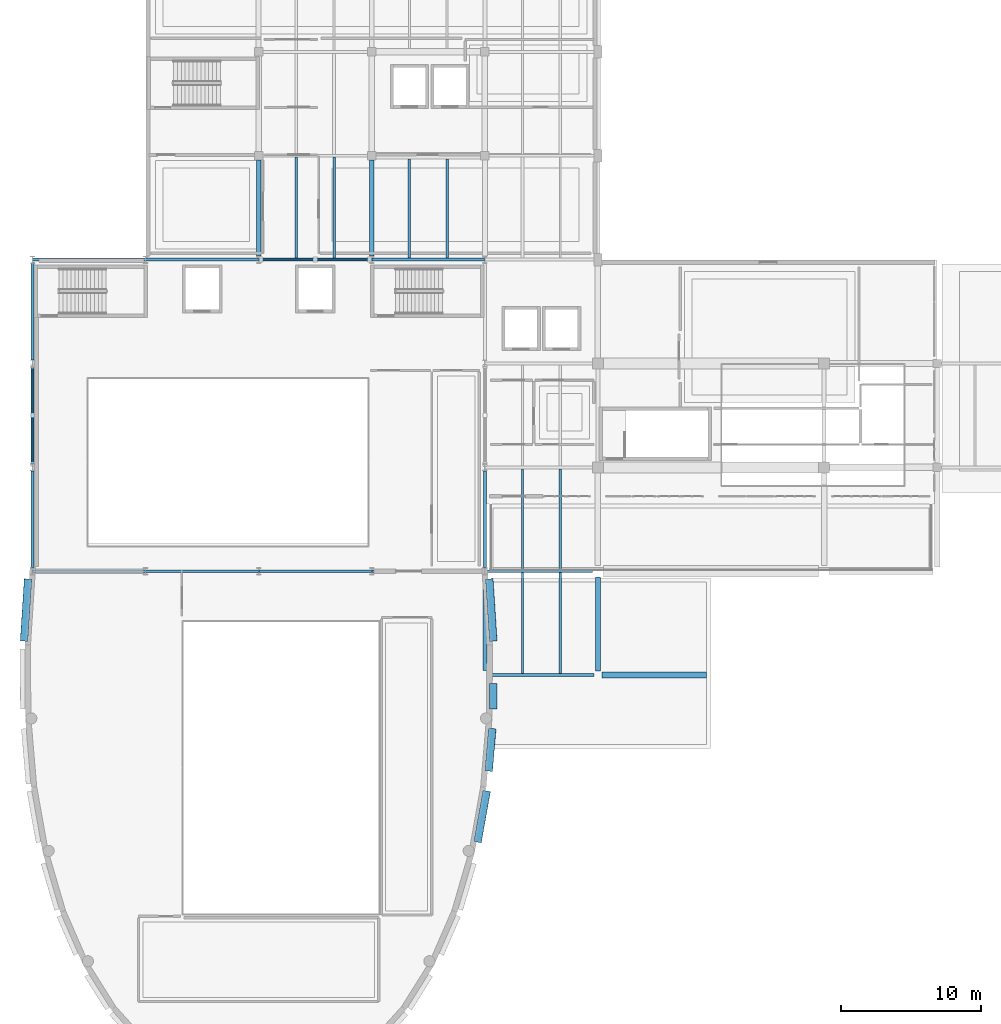
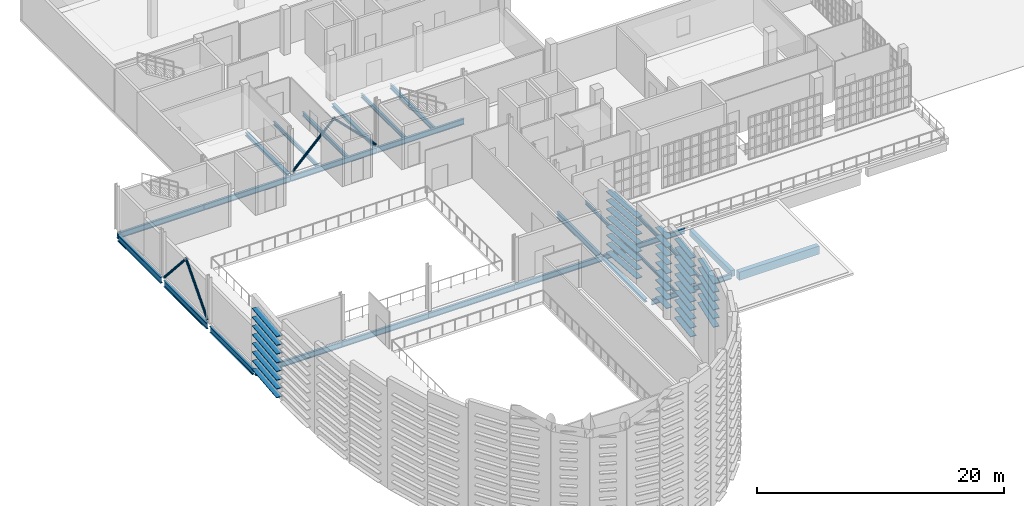
# One storey, part 6 of 56: 45 members, 27 beams.
"""IFC4 building model written with IfcOpenShell, lengths in metres."""

from ifc_helpers import new_model, si_unit, direction, frame, origin, origin_2d, place, context, subcontext, project, spatial, rectangle, hollow_rectangle, hollow_circle, i_section, extrude, material, material_profile, profile_set, type_object, element, save


model = new_model("IFC4")

# Units and contexts
model_context = context("Model", 3, precision=1e-05, world=origin(), true_north=direction((0.0, 1.0)))
body_context = subcontext(model_context, "Body", "Model", "MODEL_VIEW")
ifc_project = project(units=[si_unit("LENGTHUNIT", "METRE"), si_unit("AREAUNIT", "SQUARE_METRE"), si_unit("VOLUMEUNIT", "CUBIC_METRE"), si_unit("PLANEANGLEUNIT", "RADIAN"), si_unit("MASSUNIT", "GRAM", prefix="KILO")], contexts=[model_context])

# Site, building, storey
site_placement = place(None, origin())
site = spatial("IfcSite", under=ifc_project, at=site_placement, CompositionType="ELEMENT")
building_placement = place(site_placement, origin())
building = spatial("IfcBuilding", under=site, at=building_placement, Name="Kaelora Sail Theatre", CompositionType="ELEMENT")
storey_placement = place(building_placement, frame((0.0, 0.0, 14.699951171875)))
storey = spatial("IfcBuildingStorey", under=building, at=storey_placement, Name="L03", CompositionType="ELEMENT", Elevation=14.699951171875)

# Members
ifc_material_1 = material(Name="Anodised aluminium 6063-T6", Category="aluminium")
ifc_material_profile_1 = material_profile(ifc_material_1, hollow_rectangle(XDim=0.550048828125, YDim=0.06494140625, WallThickness=0.00390625, InnerFilletRadius=0.00390625, OuterFilletRadius=0.008056640625, at=origin_2d()), Name="LOUVRE 550x65x4")
ifc_profile_set_1 = profile_set([ifc_material_profile_1], Name="Anodised aluminium 6063-T6")
member_type_1 = type_object("IfcMemberType", Name="ARC-MEM-LVR-300", PredefinedType="USERDEFINED", material=ifc_profile_set_1)
for number, where, z_axis, x_axis, name in (
    (1, (58.51611328125, 60.47021484375, 0.31005859375), (0.064492796424, -0.997918172602, 0.0), (0.997918172602, 0.064492796424, 0.0), "Main Theatre Sail Drum horizontal solar louvre C1-17"),
    (2, (58.51611328125, 60.47021484375, 1.170166015625), (0.064492796424, -0.997918172602, 0.0), (0.997918172602, 0.064492796424, 0.0), "Main Theatre Sail Drum horizontal solar louvre C1-18"),
    (3, (58.51611328125, 60.47021484375, 2.030029296875), (0.064492796424, -0.997918172602, 0.0), (0.997918172602, 0.064492796424, 0.0), "Main Theatre Sail Drum horizontal solar louvre C1-19"),
    (4, (58.51611328125, 60.47021484375, 2.89013671875), (0.064492796424, -0.997918172602, 0.0), (0.997918172602, 0.064492796424, 0.0), "Main Theatre Sail Drum horizontal solar louvre C1-20"),
    (5, (58.51611328125, 60.47021484375, 3.75), (0.064492796424, -0.997918172602, 0.0), (0.997918172602, 0.064492796424, 0.0), "Main Theatre Sail Drum horizontal solar louvre C1-21"),
    (6, (58.51611328125, 60.47021484375, 4.610107421875), (0.064492796424, -0.997918172602, 0.0), (0.997918172602, 0.064492796424, 0.0), "Main Theatre Sail Drum horizontal solar louvre C1-22"),
    (7, (58.51611328125, 60.47021484375, 5.469970703125), (0.064492796424, -0.997918172602, 0.0), (0.997918172602, 0.064492796424, 0.0), "Main Theatre Sail Drum horizontal solar louvre C1-23"),
    (8, (58.51611328125, 60.47021484375, 6.330078125), (0.064492796424, -0.997918172602, 0.0), (0.997918172602, 0.064492796424, 0.0), "Main Theatre Sail Drum horizontal solar louvre C1-24"),
):
    element("IfcMember", number, at=place(storey_placement, frame(where, z_axis=z_axis, x_axis=x_axis)), inside=storey, type_object=member_type_1, Name=name, ObjectType="LOUVRE", PredefinedType="USERDEFINED", context=body_context, shape_type="SweptSolid", body=[
        extrude(hollow_rectangle(XDim=0.550048828125, YDim=0.06494140625, WallThickness=0.00390625, InnerFilletRadius=0.00390625, OuterFilletRadius=0.008056640625, at=origin_2d()), origin(), (0.0, 0.0, 1.0), 4.470703125),
    ])
for number, where, z_axis, x_axis, name in (
    (9, (58.808837890625, 52.990478515625, 0.31005859375), (-0.00488636533, -0.999988061646, 0.0), (0.999988061646, -0.00488636533, 0.0), "Main Theatre Sail Drum horizontal solar louvre C2-17"),
    (10, (58.808837890625, 52.990478515625, 1.170166015625), (-0.00488636533, -0.999988061646, 0.0), (0.999988061646, -0.00488636533, 0.0), "Main Theatre Sail Drum horizontal solar louvre C2-18"),
    (11, (58.808837890625, 52.990478515625, 2.030029296875), (-0.00488636533, -0.999988061646, 0.0), (0.999988061646, -0.00488636533, 0.0), "Main Theatre Sail Drum horizontal solar louvre C2-19"),
    (12, (58.808837890625, 52.990478515625, 2.89013671875), (-0.00488636533, -0.999988061646, 0.0), (0.999988061646, -0.00488636533, 0.0), "Main Theatre Sail Drum horizontal solar louvre C2-20"),
    (13, (58.808837890625, 52.990478515625, 3.75), (-0.00488636533, -0.999988061646, 0.0), (0.999988061646, -0.00488636533, 0.0), "Main Theatre Sail Drum horizontal solar louvre C2-21"),
    (14, (58.808837890625, 52.990478515625, 4.610107421875), (-0.00488636533, -0.999988061646, 0.0), (0.999988061646, -0.00488636533, 0.0), "Main Theatre Sail Drum horizontal solar louvre C2-22"),
    (15, (58.808837890625, 52.990478515625, 5.469970703125), (-0.00488636533, -0.999988061646, 0.0), (0.999988061646, -0.00488636533, 0.0), "Main Theatre Sail Drum horizontal solar louvre C2-23"),
    (16, (58.808837890625, 52.990478515625, 6.330078125), (-0.00488636533, -0.999988061646, 0.0), (0.999988061646, -0.00488636533, 0.0), "Main Theatre Sail Drum horizontal solar louvre C2-24"),
    (17, (58.808837890625, 52.990478515625, 7.18994140625), (-0.00488636533, -0.999988061646, 0.0), (0.999988061646, -0.00488636533, 0.0), "Main Theatre Sail Drum horizontal solar louvre C2-25"),
):
    element("IfcMember", number, at=place(storey_placement, frame(where, z_axis=z_axis, x_axis=x_axis)), inside=storey, type_object=member_type_1, Name=name, ObjectType="LOUVRE", PredefinedType="USERDEFINED", context=body_context, shape_type="SweptSolid", body=[
        extrude(hollow_rectangle(XDim=0.550048828125, YDim=0.06494140625, WallThickness=0.00390625, InnerFilletRadius=0.00390625, OuterFilletRadius=0.008056640625, at=origin_2d()), origin(), (0.0, 0.0, 1.0), 1.8486328125),
    ])
for number, where, z_axis, x_axis, name in (
    (18, (58.731201171875, 49.75, 0.31005859375), (-0.084314088497, -0.996439227691, 0.0), (0.996439227691, -0.084314088497, 0.0), "Main Theatre Sail Drum horizontal solar louvre C3-17"),
    (19, (58.731201171875, 49.75, 1.170166015625), (-0.084314088497, -0.996439227691, 0.0), (0.996439227691, -0.084314088497, 0.0), "Main Theatre Sail Drum horizontal solar louvre C3-18"),
    (20, (58.731201171875, 49.75, 2.030029296875), (-0.084314088497, -0.996439227691, 0.0), (0.996439227691, -0.084314088497, 0.0), "Main Theatre Sail Drum horizontal solar louvre C3-19"),
    (21, (58.731201171875, 49.75, 2.89013671875), (-0.084314088497, -0.996439227691, 0.0), (0.996439227691, -0.084314088497, 0.0), "Main Theatre Sail Drum horizontal solar louvre C3-20"),
    (22, (58.731201171875, 49.75, 3.75), (-0.084314088497, -0.996439227691, 0.0), (0.996439227691, -0.084314088497, 0.0), "Main Theatre Sail Drum horizontal solar louvre C3-21"),
    (23, (58.731201171875, 49.75, 4.610107421875), (-0.084314088497, -0.996439227691, 0.0), (0.996439227691, -0.084314088497, 0.0), "Main Theatre Sail Drum horizontal solar louvre C3-22"),
    (24, (58.731201171875, 49.75, 5.469970703125), (-0.084314088497, -0.996439227691, 0.0), (0.996439227691, -0.084314088497, 0.0), "Main Theatre Sail Drum horizontal solar louvre C3-23"),
    (25, (58.731201171875, 49.75, 6.330078125), (-0.084314088497, -0.996439227691, 0.0), (0.996439227691, -0.084314088497, 0.0), "Main Theatre Sail Drum horizontal solar louvre C3-24"),
    (26, (58.731201171875, 49.75, 7.18994140625), (-0.084314088497, -0.996439227691, 0.0), (0.996439227691, -0.084314088497, 0.0), "Main Theatre Sail Drum horizontal solar louvre C3-25"),
    (27, (58.731201171875, 49.75, 8.050048828125), (-0.084314088497, -0.996439227691, 0.0), (0.996439227691, -0.084314088497, 0.0), "Main Theatre Sail Drum horizontal solar louvre C3-26"),
):
    element("IfcMember", number, at=place(storey_placement, frame(where, z_axis=z_axis, x_axis=x_axis)), inside=storey, type_object=member_type_1, Name=name, ObjectType="LOUVRE", PredefinedType="USERDEFINED", context=body_context, shape_type="SweptSolid", body=[
        extrude(hollow_rectangle(XDim=0.550048828125, YDim=0.06494140625, WallThickness=0.00390625, InnerFilletRadius=0.00390625, OuterFilletRadius=0.008056640625, at=origin_2d()), origin(), (0.0, 0.0, 1.0), 3.057861328125),
    ])
for number, where, z_axis, x_axis, name in (
    (28, (58.33056640625, 45.284423828125, 4.610107421875), (-0.175566335005, -0.984467603333, 0.0), (0.984467603333, -0.175566335005, 0.0), "Main Theatre Sail Drum horizontal solar louvre C4-22"),
    (29, (58.33056640625, 45.284423828125, 5.469970703125), (-0.175566335005, -0.984467603333, 0.0), (0.984467603333, -0.175566335005, 0.0), "Main Theatre Sail Drum horizontal solar louvre C4-23"),
    (30, (58.33056640625, 45.284423828125, 6.330078125), (-0.175566335005, -0.984467603333, 0.0), (0.984467603333, -0.175566335005, 0.0), "Main Theatre Sail Drum horizontal solar louvre C4-24"),
    (31, (58.33056640625, 45.284423828125, 7.18994140625), (-0.175566335005, -0.984467603333, 0.0), (0.984467603333, -0.175566335005, 0.0), "Main Theatre Sail Drum horizontal solar louvre C4-25"),
    (32, (58.33056640625, 45.284423828125, 8.050048828125), (-0.175566335005, -0.984467603333, 0.0), (0.984467603333, -0.175566335005, 0.0), "Main Theatre Sail Drum horizontal solar louvre C4-26"),
    (33, (58.33056640625, 45.284423828125, 8.91015625), (-0.175566335005, -0.984467603333, 0.0), (0.984467603333, -0.175566335005, 0.0), "Main Theatre Sail Drum horizontal solar louvre C4-27"),
):
    element("IfcMember", number, at=place(storey_placement, frame(where, z_axis=z_axis, x_axis=x_axis)), inside=storey, type_object=member_type_1, Name=name, ObjectType="LOUVRE", PredefinedType="USERDEFINED", context=body_context, shape_type="SweptSolid", body=[
        extrude(hollow_rectangle(XDim=0.550048828125, YDim=0.06494140625, WallThickness=0.00390625, InnerFilletRadius=0.00390625, OuterFilletRadius=0.008056640625, at=origin_2d()), origin(), (0.0, 0.0, 1.0), 3.7294921875),
    ])
for number, where, z_axis, x_axis, name in (
    (34, (25.195556640625, 56.0087890625, 0.31005859375), (0.064492796424, 0.997918172602, 0.0), (-0.997918172602, 0.064492796424, 0.0), "Main Theatre Sail Drum horizontal solar louvre C22-17"),
    (35, (25.195556640625, 56.0087890625, 1.170166015625), (0.064492796424, 0.997918172602, 0.0), (-0.997918172602, 0.064492796424, 0.0), "Main Theatre Sail Drum horizontal solar louvre C22-18"),
    (36, (25.195556640625, 56.0087890625, 2.030029296875), (0.064492796424, 0.997918172602, 0.0), (-0.997918172602, 0.064492796424, 0.0), "Main Theatre Sail Drum horizontal solar louvre C22-19"),
    (37, (25.195556640625, 56.0087890625, 2.89013671875), (0.064492796424, 0.997918172602, 0.0), (-0.997918172602, 0.064492796424, 0.0), "Main Theatre Sail Drum horizontal solar louvre C22-20"),
    (38, (25.195556640625, 56.0087890625, 3.75), (0.064492796424, 0.997918172602, 0.0), (-0.997918172602, 0.064492796424, 0.0), "Main Theatre Sail Drum horizontal solar louvre C22-21"),
    (39, (25.195556640625, 56.0087890625, 4.610107421875), (0.064492796424, 0.997918172602, 0.0), (-0.997918172602, 0.064492796424, 0.0), "Main Theatre Sail Drum horizontal solar louvre C22-22"),
    (40, (25.195556640625, 56.0087890625, 5.469970703125), (0.064492796424, 0.997918172602, 0.0), (-0.997918172602, 0.064492796424, 0.0), "Main Theatre Sail Drum horizontal solar louvre C22-23"),
    (41, (25.195556640625, 56.0087890625, 6.330078125), (0.064492796424, 0.997918172602, 0.0), (-0.997918172602, 0.064492796424, 0.0), "Main Theatre Sail Drum horizontal solar louvre C22-24"),
):
    element("IfcMember", number, at=place(storey_placement, frame(where, z_axis=z_axis, x_axis=x_axis)), inside=storey, type_object=member_type_1, Name=name, ObjectType="LOUVRE", PredefinedType="USERDEFINED", context=body_context, shape_type="SweptSolid", body=[
        extrude(hollow_rectangle(XDim=0.550048828125, YDim=0.06494140625, WallThickness=0.00390625, InnerFilletRadius=0.00390625, OuterFilletRadius=0.008056640625, at=origin_2d()), origin(), (0.0, 0.0, 1.0), 4.470703125),
    ])

# Beams
ifc_material_2 = material(Name="Steel S355", Category="steel")
ifc_material_profile_2 = material_profile(ifc_material_2, i_section(OverallWidth=0.300048828125, OverallDepth=0.31005859375, WebThickness=0.009033203125, FlangeThickness=0.015380859375, FilletRadius=0.027099609375, at=origin_2d()), Name="HEA 320")
ifc_profile_set_2 = profile_set([ifc_material_profile_2], Name="Steel S355")
beam_type_1 = type_object("IfcBeamType", Name="STR-BM-BM-HEA320", PredefinedType="BEAM", material=ifc_profile_set_2)
for number, where, z_axis, x_axis, name in (
    (42, (42.0, 83.590087890625, -0.429931640625), (0.0, 1.0, 0.0), (-1.0, 0.0, 0.0), "Primary beam 6 L-M (L03)"),
    (43, (50.10009765625, 83.590087890625, -0.429931640625), (0.0, 1.0, 0.0), (-1.0, 0.0, 0.0), "Primary beam 7 L-M (L03)"),
):
    element("IfcBeam", number, at=place(storey_placement, frame(where, z_axis=z_axis, x_axis=x_axis)), inside=storey, type_object=beam_type_1, Name=name, PredefinedType="BEAM", context=body_context, shape_type="SweptSolid", body=[
        extrude(i_section(OverallWidth=0.300048828125, OverallDepth=0.31005859375, WebThickness=0.009033203125, FlangeThickness=0.015380859375, FilletRadius=0.027099609375, at=origin_2d()), origin(), (0.0, 0.0, 1.0), 6.889892578125),
    ])
beam_1_placement = place(storey_placement, frame((58.199951171875, 53.905029296875, -0.429931640625), z_axis=(0.0, 1.0, 0.0), x_axis=(-1.0, 0.0, 0.0)))
element("IfcBeam", 44, at=beam_1_placement, inside=storey, type_object=beam_type_1, Name="Primary beam 8 H-I (L03)", PredefinedType="BEAM", context=body_context, shape_type="SweptSolid", body=[
    extrude(i_section(OverallWidth=0.300048828125, OverallDepth=0.31005859375, WebThickness=0.009033203125, FlangeThickness=0.015380859375, FilletRadius=0.027099609375, at=origin_2d()), origin(), (0.0, 0.0, 1.0), 6.864990234375),
])
ifc_material_3 = material(Name="Steel S355", Category="steel")
ifc_material_profile_3 = material_profile(ifc_material_3, i_section(OverallWidth=0.18994140625, OverallDepth=0.449951171875, WebThickness=0.009521484375, FlangeThickness=0.0146484375, FilletRadius=0.02099609375, at=origin_2d()), Name="IPE 450")
ifc_profile_set_3 = profile_set([ifc_material_profile_3], Name="Steel S355")
beam_type_2 = type_object("IfcBeamType", Name="STR-BM-BM-IPE450", PredefinedType="BEAM", material=ifc_profile_set_3)
beam_2_placement = place(storey_placement, frame((55.5, 83.445068359375, -0.5), z_axis=(0.0, 1.0, 0.0), x_axis=(-1.0, 0.0, 0.0)))
element("IfcBeam", 45, at=beam_2_placement, inside=storey, type_object=beam_type_2, Name="Secondary floor joist 7/L-2 (L03)", PredefinedType="BEAM", context=body_context, shape_type="SweptSolid", body=[
    extrude(i_section(OverallWidth=0.18994140625, OverallDepth=0.449951171875, WebThickness=0.009521484375, FlangeThickness=0.0146484375, FilletRadius=0.02099609375, at=origin_2d()), origin(), (0.0, 0.0, 1.0), 7.10986328125),
])
ifc_material_4 = material(Name="Steel S355", Category="steel")
ifc_material_profile_4 = material_profile(ifc_material_4, i_section(OverallWidth=0.199951171875, OverallDepth=0.5, WebThickness=0.01025390625, FlangeThickness=0.01611328125, FilletRadius=0.02099609375, at=origin_2d()), Name="IPE 500")
ifc_profile_set_4 = profile_set([ifc_material_profile_4], Name="Steel S355")
beam_type_3 = type_object("IfcBeamType", Name="STR-BM-BM-IPE500", PredefinedType="BEAM", material=ifc_profile_set_4)
beam_3_placement = place(storey_placement, frame((58.52490234375, 53.580078125, -0.52490234375), z_axis=(1.0, 0.0, 0.0), x_axis=(0.0, 1.0, 0.0)))
element("IfcBeam", 46, at=beam_3_placement, inside=storey, type_object=beam_type_3, Name="Primary beam H 8-9 (L03)", PredefinedType="BEAM", context=body_context, shape_type="SweptSolid", body=[
    extrude(i_section(OverallWidth=0.199951171875, OverallDepth=0.5, WebThickness=0.01025390625, FlangeThickness=0.01611328125, FilletRadius=0.02099609375, at=origin_2d()), origin(), (0.0, 0.0, 1.0), 7.47509765625),
])
beam_4_placement = place(storey_placement, frame((58.208984375, 61.02001953125, -0.52490234375), z_axis=(1.0, 0.0, 0.0), x_axis=(0.0, 1.0, 0.0)))
element("IfcBeam", 47, at=beam_4_placement, inside=storey, type_object=beam_type_3, Name="Primary beam I 8-9 (L03)", PredefinedType="BEAM", context=body_context, shape_type="SweptSolid", body=[
    extrude(i_section(OverallWidth=0.199951171875, OverallDepth=0.5, WebThickness=0.01025390625, FlangeThickness=0.01611328125, FilletRadius=0.02099609375, at=origin_2d()), origin(), (0.0, 0.0, 1.0), 7.69091796875),
])
ifc_material_5 = material(Name="Steel S355", Category="steel")
ifc_material_profile_5 = material_profile(ifc_material_5, i_section(OverallWidth=0.2099609375, OverallDepth=0.550048828125, WebThickness=0.010986328125, FlangeThickness=0.01708984375, FilletRadius=0.02392578125, at=origin_2d()), Name="IPE 550")
ifc_profile_set_5 = profile_set([ifc_material_profile_5], Name="Steel S355")
beam_type_4 = type_object("IfcBeamType", Name="STR-BM-BM-IPE550", PredefinedType="USERDEFINED", material=ifc_profile_set_5)
for number, where, z_axis, x_axis, name in (
    (48, (25.80908203125, 61.02001953125, -0.550048828125), (1.0, 0.0, 0.0), (0.0, 1.0, 0.0), "Primary beam I 4-5 (L03)"),
    (49, (25.80908203125, 83.340087890625, -0.550048828125), (1.0, 0.0, 0.0), (0.0, 1.0, 0.0), "Primary beam L 4-5 (L03)"),
    (50, (33.908935546875, 61.02001953125, -0.550048828125), (1.0, 0.0, 0.0), (0.0, 1.0, 0.0), "Primary beam I 5-6 (L03)"),
    (51, (33.908935546875, 83.340087890625, -0.550048828125), (1.0, 0.0, 0.0), (0.0, 1.0, 0.0), "Primary beam L 5-6 (L03)"),
    (52, (42.009033203125, 61.02001953125, -0.550048828125), (1.0, 0.0, 0.0), (0.0, 1.0, 0.0), "Primary beam I 6-7 (L03)"),
    (53, (42.009033203125, 83.340087890625, -0.550048828125), (1.0, 0.0, 0.0), (0.0, 1.0, 0.0), "Primary beam L 6-7 (L03)"),
    (54, (50.10888671875, 61.02001953125, -0.550048828125), (1.0, 0.0, 0.0), (0.0, 1.0, 0.0), "Primary beam I 7-8 (L03)"),
    (55, (50.10888671875, 83.340087890625, -0.550048828125), (1.0, 0.0, 0.0), (0.0, 1.0, 0.0), "Primary beam L 7-8 (L03)"),
):
    element("IfcBeam", number, at=place(storey_placement, frame(where, z_axis=z_axis, x_axis=x_axis)), inside=storey, type_object=beam_type_4, Name=name, ObjectType="GIRDER", PredefinedType="USERDEFINED", context=body_context, shape_type="SweptSolid", body=[
        extrude(i_section(OverallWidth=0.2099609375, OverallDepth=0.550048828125, WebThickness=0.010986328125, FlangeThickness=0.01708984375, FilletRadius=0.02392578125, at=origin_2d()), origin(), (0.0, 0.0, 1.0), 8.08203125),
    ])
ifc_material_6 = material(Name="Steel S355", Category="steel")
ifc_material_profile_6 = material_profile(ifc_material_6, i_section(OverallWidth=0.219970703125, OverallDepth=0.60009765625, WebThickness=0.011962890625, FlangeThickness=0.01904296875, FilletRadius=0.02392578125, at=origin_2d()), Name="IPE 600")
ifc_profile_set_6 = profile_set([ifc_material_profile_6], Name="Steel S355")
beam_type_5 = type_object("IfcBeamType", Name="STR-BM-BM-IPE600", PredefinedType="USERDEFINED", material=ifc_profile_set_6)
for number, where, z_axis, x_axis, name in (
    (56, (25.800048828125, 61.27001953125, -0.574951171875), (0.0, 1.0, 0.0), (-1.0, 0.0, 0.0), "Primary beam 4 I-J (L03)"),
    (57, (25.800048828125, 68.7099609375, -0.574951171875), (0.0, 1.0, 0.0), (-1.0, 0.0, 0.0), "Primary beam 4 J-K (L03)"),
):
    element("IfcBeam", number, at=place(storey_placement, frame(where, z_axis=z_axis, x_axis=x_axis)), inside=storey, type_object=beam_type_5, Name=name, ObjectType="GIRDER", PredefinedType="USERDEFINED", context=body_context, shape_type="SweptSolid", body=[
        extrude(i_section(OverallWidth=0.219970703125, OverallDepth=0.60009765625, WebThickness=0.011962890625, FlangeThickness=0.01904296875, FilletRadius=0.02392578125, at=origin_2d()), origin(), (0.0, 0.0, 1.0), 6.93994140625),
    ])
beam_5_placement = place(storey_placement, frame((25.800048828125, 76.14990234375, -0.574951171875), z_axis=(0.0, 1.0, 0.0), x_axis=(-1.0, 0.0, 0.0)))
element("IfcBeam", 58, at=beam_5_placement, inside=storey, type_object=beam_type_5, Name="Primary beam 4 K-L (L03)", ObjectType="GIRDER", PredefinedType="USERDEFINED", context=body_context, shape_type="SweptSolid", body=[
    extrude(i_section(OverallWidth=0.219970703125, OverallDepth=0.60009765625, WebThickness=0.011962890625, FlangeThickness=0.01904296875, FilletRadius=0.02392578125, at=origin_2d()), origin(), (0.0, 0.0, 1.0), 6.940185546875),
])
beam_6_placement = place(storey_placement, frame((58.199951171875, 61.27001953125, -0.574951171875), z_axis=(0.0, 1.0, 0.0), x_axis=(-1.0, 0.0, 0.0)))
element("IfcBeam", 59, at=beam_6_placement, inside=storey, type_object=beam_type_5, Name="Primary beam 8 I-J (L03)", ObjectType="GIRDER", PredefinedType="USERDEFINED", context=body_context, shape_type="SweptSolid", body=[
    extrude(i_section(OverallWidth=0.219970703125, OverallDepth=0.60009765625, WebThickness=0.011962890625, FlangeThickness=0.01904296875, FilletRadius=0.02392578125, at=origin_2d()), origin(), (0.0, 0.0, 1.0), 6.93994140625),
])
ifc_material_7 = material(Name="Concrete C40/50", Category="concrete")
ifc_material_profile_7 = material_profile(ifc_material_7, rectangle(XDim=0.35009765625, YDim=0.60009765625, at=origin_2d()), Name="RC-BM 350x600")
ifc_profile_set_7 = profile_set([ifc_material_profile_7], Name="Concrete C40/50")
beam_type_6 = type_object("IfcBeamType", Name="STR-BM-BM-RC3560", PredefinedType="BEAM", material=ifc_profile_set_7)
beam_7_placement = place(storey_placement, frame((66.300048828125, 53.8798828125, -0.574951171875), z_axis=(0.0, 1.0, 0.0), x_axis=(-1.0, 0.0, 0.0)))
element("IfcBeam", 60, at=beam_7_placement, inside=storey, type_object=beam_type_6, Name="Primary beam 9 H-I (L03)", PredefinedType="BEAM", context=body_context, shape_type="SweptSolid", body=[
    extrude(rectangle(XDim=0.35009765625, YDim=0.60009765625, at=origin_2d()), origin(), (0.0, 0.0, 1.0), 6.740234375),
])
ifc_material_8 = material(Name="Concrete C45/55", Category="concrete")
ifc_material_profile_8 = material_profile(ifc_material_8, rectangle(XDim=0.449951171875, YDim=0.800048828125, at=origin_2d()), Name="RC-BM 450x800")
ifc_profile_set_8 = profile_set([ifc_material_profile_8], Name="Concrete C45/55")
beam_type_7 = type_object("IfcBeamType", Name="STR-BM-BM-RC4580", PredefinedType="BEAM", material=ifc_profile_set_8)
beam_8_placement = place(storey_placement, frame((66.60009765625, 53.580078125, -0.675048828125), z_axis=(1.0, 0.0, 0.0), x_axis=(0.0, 1.0, 0.0)))
element("IfcBeam", 61, at=beam_8_placement, inside=storey, type_object=beam_type_7, Name="Primary beam H 9-10 (L03)", PredefinedType="BEAM", context=body_context, shape_type="SweptSolid", body=[
    extrude(rectangle(XDim=0.449951171875, YDim=0.800048828125, at=origin_2d()), origin(), (0.0, 0.0, 1.0), 7.474853515625),
])
ifc_material_9 = material(Name="Steel S355", Category="steel")
ifc_material_profile_9 = material_profile(ifc_material_9, i_section(OverallWidth=0.14990234375, OverallDepth=0.300048828125, WebThickness=0.007080078125, FlangeThickness=0.0107421875, FilletRadius=0.014892578125, at=origin_2d()), Name="IPE 300")
ifc_profile_set_9 = profile_set([ifc_material_profile_9], Name="Steel S355")
beam_type_8 = type_object("IfcBeamType", Name="STR-BM-JS-IPE300", PredefinedType="JOIST", material=ifc_profile_set_9)
beam_9_placement = place(storey_placement, frame((60.89990234375, 53.679931640625, -0.425048828125), z_axis=(0.0, 1.0, 0.0), x_axis=(-1.0, 0.0, 0.0)))
element("IfcBeam", 62, at=beam_9_placement, inside=storey, type_object=beam_type_8, Name="Secondary floor joist 8/H-1 (L03)", PredefinedType="JOIST", context=body_context, shape_type="SweptSolid", body=[
    extrude(i_section(OverallWidth=0.14990234375, OverallDepth=0.300048828125, WebThickness=0.007080078125, FlangeThickness=0.0107421875, FilletRadius=0.014892578125, at=origin_2d()), origin(), (0.0, 0.0, 1.0), 7.239990234375),
])
ifc_material_10 = material(Name="Steel S355", Category="steel")
ifc_material_profile_10 = material_profile(ifc_material_10, i_section(OverallWidth=0.159912109375, OverallDepth=0.330078125, WebThickness=0.007568359375, FlangeThickness=0.011474609375, FilletRadius=0.01806640625, at=origin_2d()), Name="IPE 330")
ifc_profile_set_10 = profile_set([ifc_material_profile_10], Name="Steel S355")
beam_type_9 = type_object("IfcBeamType", Name="STR-BM-JS-IPE330", PredefinedType="JOIST", material=ifc_profile_set_10)
for number, where, z_axis, x_axis, name in (
    (63, (63.60009765625, 53.679931640625, -0.43994140625), (0.0, 1.0, 0.0), (-1.0, 0.0, 0.0), "Secondary floor joist 8/H-2 (L03)"),
    (64, (60.89990234375, 61.1201171875, -0.43994140625), (0.0, 1.0, 0.0), (-1.0, 0.0, 0.0), "Secondary floor joist 8/I-1 (L03)"),
):
    element("IfcBeam", number, at=place(storey_placement, frame(where, z_axis=z_axis, x_axis=x_axis)), inside=storey, type_object=beam_type_9, Name=name, PredefinedType="JOIST", context=body_context, shape_type="SweptSolid", body=[
        extrude(i_section(OverallWidth=0.159912109375, OverallDepth=0.330078125, WebThickness=0.007568359375, FlangeThickness=0.011474609375, FilletRadius=0.01806640625, at=origin_2d()), origin(), (0.0, 0.0, 1.0), 7.239990234375),
    ])
ifc_material_11 = material(Name="Steel S355", Category="steel")
ifc_material_profile_11 = material_profile(ifc_material_11, i_section(OverallWidth=0.169921875, OverallDepth=0.360107421875, WebThickness=0.008056640625, FlangeThickness=0.0126953125, FilletRadius=0.01806640625, at=origin_2d()), Name="IPE 360")
ifc_profile_set_11 = profile_set([ifc_material_profile_11], Name="Steel S355")
beam_type_10 = type_object("IfcBeamType", Name="STR-BM-JS-IPE360", PredefinedType="JOIST", material=ifc_profile_set_11)
beam_10_placement = place(storey_placement, frame((44.699951171875, 83.445068359375, -0.454833984375), z_axis=(0.0, 1.0, 0.0), x_axis=(-1.0, 0.0, 0.0)))
element("IfcBeam", 65, at=beam_10_placement, inside=storey, type_object=beam_type_10, Name="Secondary floor joist 6/L-1 (L03)", PredefinedType="JOIST", context=body_context, shape_type="SweptSolid", body=[
    extrude(i_section(OverallWidth=0.169921875, OverallDepth=0.360107421875, WebThickness=0.008056640625, FlangeThickness=0.0126953125, FilletRadius=0.01806640625, at=origin_2d()), origin(), (0.0, 0.0, 1.0), 7.23486328125),
])
beam_11_placement = place(storey_placement, frame((63.60009765625, 61.1201171875, -0.454833984375), z_axis=(0.0, 1.0, 0.0), x_axis=(-1.0, 0.0, 0.0)))
element("IfcBeam", 66, at=beam_11_placement, inside=storey, type_object=beam_type_10, Name="Secondary floor joist 8/I-2 (L03)", PredefinedType="JOIST", context=body_context, shape_type="SweptSolid", body=[
    extrude(i_section(OverallWidth=0.169921875, OverallDepth=0.360107421875, WebThickness=0.008056640625, FlangeThickness=0.0126953125, FilletRadius=0.01806640625, at=origin_2d()), origin(), (0.0, 0.0, 1.0), 7.239990234375),
])
ifc_material_12 = material(Name="Steel S355", Category="steel")
ifc_material_profile_12 = material_profile(ifc_material_12, i_section(OverallWidth=0.179931640625, OverallDepth=0.39990234375, WebThickness=0.008544921875, FlangeThickness=0.013427734375, FilletRadius=0.02099609375, at=origin_2d()), Name="IPE 400")
ifc_profile_set_12 = profile_set([ifc_material_profile_12], Name="Steel S355")
beam_type_11 = type_object("IfcBeamType", Name="STR-BM-JS-IPE400", PredefinedType="JOIST", material=ifc_profile_set_12)
beam_12_placement = place(storey_placement, frame((47.39990234375, 83.445068359375, -0.474853515625), z_axis=(0.0, 1.0, 0.0), x_axis=(-1.0, 0.0, 0.0)))
element("IfcBeam", 67, at=beam_12_placement, inside=storey, type_object=beam_type_11, Name="Secondary floor joist 6/L-2 (L03)", PredefinedType="JOIST", context=body_context, shape_type="SweptSolid", body=[
    extrude(i_section(OverallWidth=0.179931640625, OverallDepth=0.39990234375, WebThickness=0.008544921875, FlangeThickness=0.013427734375, FilletRadius=0.02099609375, at=origin_2d()), origin(), (0.0, 0.0, 1.0), 7.23486328125),
])
beam_13_placement = place(storey_placement, frame((52.800048828125, 83.445068359375, -0.474853515625), z_axis=(0.0, 1.0, 0.0), x_axis=(-1.0, 0.0, 0.0)))
element("IfcBeam", 68, at=beam_13_placement, inside=storey, type_object=beam_type_11, Name="Secondary floor joist 7/L-1 (L03)", PredefinedType="JOIST", context=body_context, shape_type="SweptSolid", body=[
    extrude(i_section(OverallWidth=0.179931640625, OverallDepth=0.39990234375, WebThickness=0.008544921875, FlangeThickness=0.013427734375, FilletRadius=0.02099609375, at=origin_2d()), origin(), (0.0, 0.0, 1.0), 7.10986328125),
])

# Members
ifc_material_13 = material(Name="Steel S355", Category="steel")
ifc_material_profile_13 = material_profile(ifc_material_13, hollow_circle(Radius=0.109619140625, WallThickness=0.010009765625, at=origin_2d()), Name="CHS 219.1x10.0")
ifc_profile_set_13 = profile_set([ifc_material_profile_13], Name="Steel S355")
member_type_2 = type_object("IfcMemberType", Name="STR-MEM-BR-CHS219", PredefinedType="BRACE", material=ifc_profile_set_13)
for number, where, z_axis, x_axis, name in (
    (69, (25.800048828125, 68.68994140625, 0.02001953125), (0.0, 0.664476352535, 0.74730929134), (-1.0, 0.0, 0.0), "Fly Tower chevron brace L03 WM1"),
    (70, (25.800048828125, 75.669921875, 0.02001953125), (0.0, -0.664476352535, 0.74730929134), (1.0, 0.0, 0.0), "Fly Tower chevron brace L03 WM2"),
):
    element("IfcMember", number, at=place(storey_placement, frame(where, z_axis=z_axis, x_axis=x_axis)), inside=storey, type_object=member_type_2, Name=name, PredefinedType="BRACE", context=body_context, shape_type="SweptSolid", body=[
        extrude(hollow_circle(Radius=0.109619140625, WallThickness=0.010009765625, at=origin_2d()), origin(), (0.0, 0.0, 1.0), 5.252197265625),
    ])
for number, where, z_axis, x_axis, name in (
    (71, (42.159912109375, 83.340087890625, 0.02001953125), (0.703940959705, 0.0, 0.710258491853), (0.0, 1.0, 0.0), "Fly Tower north chevron brace L03 N3-1"),
    (72, (49.93994140625, 83.340087890625, 0.02001953125), (-0.703918672041, 0.0, 0.710280580582), (0.0, -1.0, 0.0), "Fly Tower north chevron brace L03 N3-2"),
):
    element("IfcMember", number, at=place(storey_placement, frame(where, z_axis=z_axis, x_axis=x_axis)), inside=storey, type_object=member_type_2, Name=name, PredefinedType="BRACE", context=body_context, shape_type="SweptSolid", body=[
        extrude(hollow_circle(Radius=0.109619140625, WallThickness=0.010009765625, at=origin_2d()), origin(), (0.0, 0.0, 1.0), 5.526123046875),
    ])

save(model, "model.ifc")
